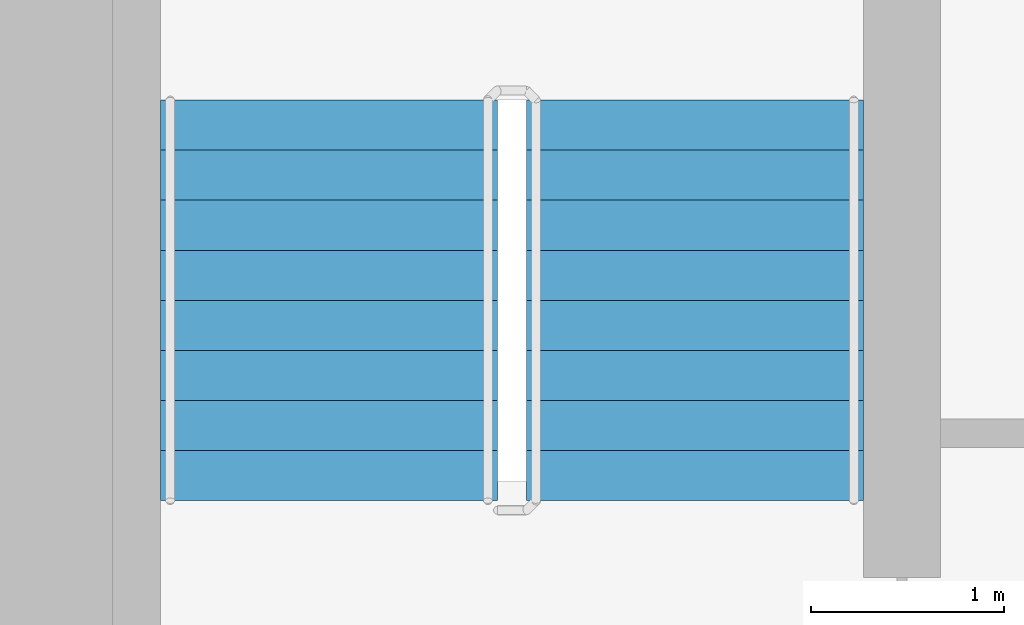
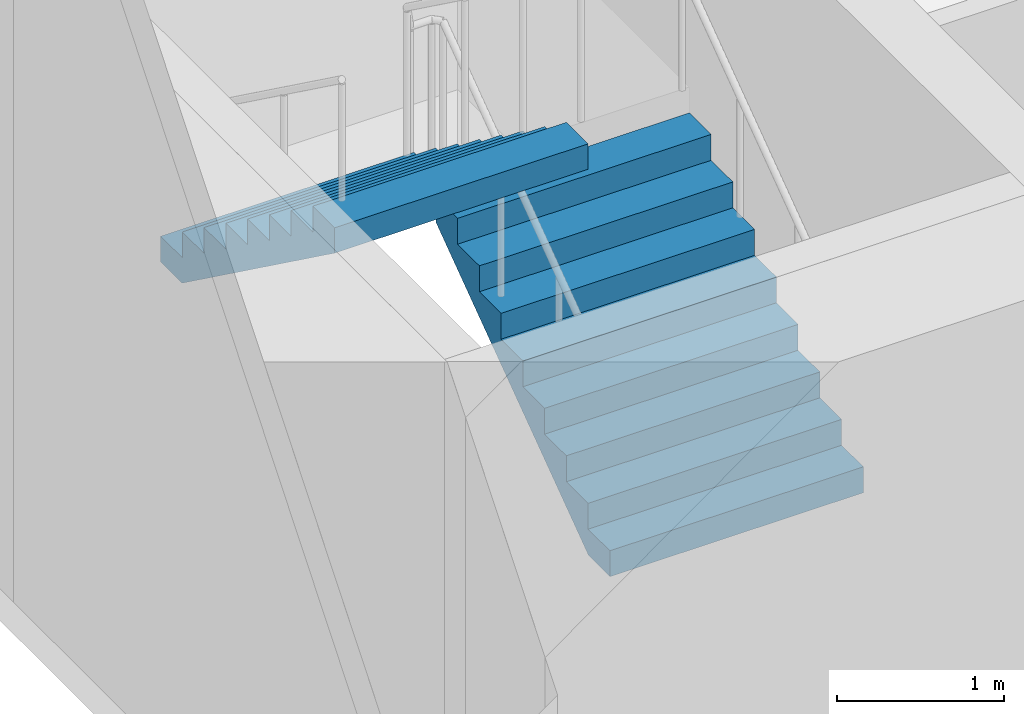
# One storey, part 17 of 20: 2 stair flights, 1 element without a shape of its own.
"""IFC4 building model written with IfcOpenShell, lengths in metres."""

from ifc_helpers import new_model, si_unit, direction, frame, origin, place, context, subcontext, project, spatial, faceted_brep, material, type_object, element, aggregate, save


model = new_model("IFC4")

# Units and contexts
model_context = context("Model", 3, precision=1e-05, world=origin(), true_north=direction((0.0, 1.0)))
body_context = subcontext(model_context, "Body", "Model", "MODEL_VIEW")
ifc_project = project(units=[si_unit("LENGTHUNIT", "METRE"), si_unit("AREAUNIT", "SQUARE_METRE"), si_unit("VOLUMEUNIT", "CUBIC_METRE"), si_unit("PLANEANGLEUNIT", "RADIAN"), si_unit("MASSUNIT", "GRAM", prefix="KILO")], contexts=[model_context])

# Site, building, storey
site_placement = place(None, origin())
site = spatial("IfcSite", under=ifc_project, at=site_placement, CompositionType="ELEMENT")
building_placement = place(site_placement, origin())
building = spatial("IfcBuilding", under=site, at=building_placement, Name="Ipe Terrace Towers", CompositionType="ELEMENT")
storey_placement = place(building_placement, frame((0.0, 0.0, 120.800048828125)))
storey = spatial("IfcBuildingStorey", under=building, at=storey_placement, Name="L33", CompositionType="ELEMENT", Elevation=120.800048828125)

# Stair, stair flights
ifc_material_1 = material(Name="Concrete C30/37", Category="concrete")
stair_type = type_object("IfcStairType", Name="Protected exit stair", PredefinedType="HALF_TURN_STAIR", material=ifc_material_1)
stair_placement = place(storey_placement, origin())
stair = element("IfcStair", 1, at=stair_placement, inside=storey, type_object=stair_type, Name="L33 Exit stair T2-C1", PredefinedType="HALF_TURN_STAIR")
ifc_material_2 = material(Name="Concrete C30/37", Category="concrete")
stair_flight_type = type_object("IfcStairFlightType", Name="Exit stair flight 1750", PredefinedType="STRAIGHT", material=ifc_material_2)
stair_flight_1_placement = place(storey_placement, frame((33.22509765625, 9.699951171875, 0.0), z_axis=(0.0, 0.0, 1.0), x_axis=(0.0, 1.0, 0.0)))
stair_flight_1 = element("IfcStairFlight", 2, at=stair_flight_1_placement, type_object=stair_flight_type, Name="T2-ST1 flight 1", NumberOfRisers=9, NumberOfTreads=8, PredefinedType="STRAIGHT", RiserHeight=0.188888889, TreadLength=0.26, context=body_context, shape_type="Brep", body=[
    faceted_brep([(0.255126953125, -0.875, 0.0), (2.080078125, -0.875, 1.325927734375), (2.080078125, -0.875, 1.51123046875), (1.820068359375, -0.875, 1.51123046875), (1.820068359375, -0.875, 1.322265625), (1.56005859375, -0.875, 1.322265625), (1.56005859375, -0.875, 1.13330078125), (1.300048828125, -0.875, 1.13330078125), (1.300048828125, -0.875, 0.9443359375), (1.0400390625, -0.875, 0.9443359375), (1.0400390625, -0.875, 0.755615234375), (0.780029296875, -0.875, 0.755615234375), (0.780029296875, -0.875, 0.566650390625), (0.52001953125, -0.875, 0.566650390625), (0.52001953125, -0.875, 0.377685546875), (0.260009765625, -0.875, 0.377685546875), (0.260009765625, -0.875, 0.18896484375), (0.0, -0.875, 0.18896484375), (0.0, -0.875, 0.0), (0.0, 0.875, 0.0), (0.0, 0.875, 0.18896484375), (0.260009765625, 0.875, 0.18896484375), (0.260009765625, 0.875, 0.377685546875), (0.52001953125, 0.875, 0.377685546875), (0.52001953125, 0.875, 0.566650390625), (0.780029296875, 0.875, 0.566650390625), (0.780029296875, 0.875, 0.755615234375), (1.0400390625, 0.875, 0.755615234375), (1.0400390625, 0.875, 0.9443359375), (1.300048828125, 0.875, 0.9443359375), (1.300048828125, 0.875, 1.13330078125), (1.56005859375, 0.875, 1.13330078125), (1.56005859375, 0.875, 1.322265625), (1.820068359375, 0.875, 1.322265625), (1.820068359375, 0.875, 1.51123046875), (2.080078125, 0.875, 1.51123046875), (2.080078125, 0.875, 1.325927734375), (0.255126953125, 0.875, 0.0), (0.0, -0.300048828125, 0.18896484375), (0.0, -0.1201171875, 0.18896484375), (0.0, -0.06005859375, 0.18896484375), (0.0, -0.030029296875, 0.18896484375), (0.0, -0.010009765625, 0.18896484375), (0.0, 0.0, 0.18896484375), (0.0, 0.010009765625, 0.18896484375), (0.0, 0.030029296875, 0.18896484375), (0.0, 0.06005859375, 0.18896484375), (0.0, 0.1201171875, 0.18896484375), (0.0, 0.300048828125, 0.18896484375), (0.0, 0.300048828125, 0.0), (0.0, 0.1201171875, 0.0), (0.0, 0.06005859375, 0.0), (0.0, 0.030029296875, 0.0), (0.0, 0.010009765625, 0.0), (0.0, 0.0, 0.0), (0.0, -0.010009765625, 0.0), (0.0, -0.030029296875, 0.0), (0.0, -0.06005859375, 0.0), (0.0, -0.1201171875, 0.0), (0.0, -0.300048828125, 0.0), (0.260009765625, -0.300048828125, 0.18896484375), (0.260009765625, -0.1201171875, 0.18896484375), (0.260009765625, -0.06005859375, 0.18896484375), (0.260009765625, -0.030029296875, 0.18896484375), (0.260009765625, -0.010009765625, 0.18896484375), (0.260009765625, 0.0, 0.18896484375), (0.260009765625, 0.010009765625, 0.18896484375), (0.260009765625, 0.030029296875, 0.18896484375), (0.260009765625, 0.06005859375, 0.18896484375), (0.260009765625, 0.1201171875, 0.18896484375), (0.260009765625, 0.300048828125, 0.18896484375), (0.260009765625, -0.300048828125, 0.377685546875), (0.260009765625, -0.1201171875, 0.377685546875), (0.260009765625, -0.06005859375, 0.377685546875), (0.260009765625, -0.030029296875, 0.377685546875), (0.260009765625, -0.010009765625, 0.377685546875), (0.260009765625, 0.0, 0.377685546875), (0.260009765625, 0.010009765625, 0.377685546875), (0.260009765625, 0.030029296875, 0.377685546875), (0.260009765625, 0.06005859375, 0.377685546875), (0.260009765625, 0.1201171875, 0.377685546875), (0.260009765625, 0.300048828125, 0.377685546875), (0.52001953125, -0.300048828125, 0.377685546875), (0.52001953125, -0.1201171875, 0.377685546875), (0.52001953125, -0.06005859375, 0.377685546875), (0.52001953125, -0.030029296875, 0.377685546875), (0.52001953125, -0.010009765625, 0.377685546875), (0.52001953125, 0.0, 0.377685546875), (0.52001953125, 0.010009765625, 0.377685546875), (0.52001953125, 0.030029296875, 0.377685546875), (0.52001953125, 0.06005859375, 0.377685546875), (0.52001953125, 0.1201171875, 0.377685546875), (0.52001953125, 0.300048828125, 0.377685546875), (0.52001953125, -0.300048828125, 0.566650390625), (0.52001953125, -0.1201171875, 0.566650390625), (0.52001953125, -0.06005859375, 0.566650390625), (0.52001953125, -0.030029296875, 0.566650390625), (0.52001953125, -0.010009765625, 0.566650390625), (0.52001953125, 0.0, 0.566650390625), (0.52001953125, 0.010009765625, 0.566650390625), (0.52001953125, 0.030029296875, 0.566650390625), (0.52001953125, 0.06005859375, 0.566650390625), (0.52001953125, 0.1201171875, 0.566650390625), (0.52001953125, 0.300048828125, 0.566650390625), (0.780029296875, -0.300048828125, 0.566650390625), (0.780029296875, -0.1201171875, 0.566650390625), (0.780029296875, -0.06005859375, 0.566650390625), (0.780029296875, -0.030029296875, 0.566650390625), (0.780029296875, -0.010009765625, 0.566650390625), (0.780029296875, 0.0, 0.566650390625), (0.780029296875, 0.010009765625, 0.566650390625), (0.780029296875, 0.030029296875, 0.566650390625), (0.780029296875, 0.06005859375, 0.566650390625), (0.780029296875, 0.1201171875, 0.566650390625), (0.780029296875, 0.300048828125, 0.566650390625), (0.780029296875, -0.300048828125, 0.755615234375), (0.780029296875, -0.1201171875, 0.755615234375), (0.780029296875, -0.06005859375, 0.755615234375), (0.780029296875, -0.030029296875, 0.755615234375), (0.780029296875, -0.010009765625, 0.755615234375), (0.780029296875, 0.0, 0.755615234375), (0.780029296875, 0.010009765625, 0.755615234375), (0.780029296875, 0.030029296875, 0.755615234375), (0.780029296875, 0.06005859375, 0.755615234375), (0.780029296875, 0.1201171875, 0.755615234375), (0.780029296875, 0.300048828125, 0.755615234375), (1.0400390625, -0.300048828125, 0.755615234375), (1.0400390625, -0.1201171875, 0.755615234375), (1.0400390625, -0.06005859375, 0.755615234375), (1.0400390625, -0.030029296875, 0.755615234375), (1.0400390625, -0.010009765625, 0.755615234375), (1.0400390625, 0.0, 0.755615234375), (1.0400390625, 0.010009765625, 0.755615234375), (1.0400390625, 0.030029296875, 0.755615234375), (1.0400390625, 0.06005859375, 0.755615234375), (1.0400390625, 0.1201171875, 0.755615234375), (1.0400390625, 0.300048828125, 0.755615234375), (1.0400390625, -0.300048828125, 0.9443359375), (1.0400390625, -0.1201171875, 0.9443359375), (1.0400390625, -0.06005859375, 0.9443359375), (1.0400390625, -0.030029296875, 0.9443359375), (1.0400390625, -0.010009765625, 0.9443359375), (1.0400390625, 0.0, 0.9443359375), (1.0400390625, 0.010009765625, 0.9443359375), (1.0400390625, 0.030029296875, 0.9443359375), (1.0400390625, 0.06005859375, 0.9443359375), (1.0400390625, 0.1201171875, 0.9443359375), (1.0400390625, 0.300048828125, 0.9443359375), (1.300048828125, -0.300048828125, 0.9443359375), (1.300048828125, -0.1201171875, 0.9443359375), (1.300048828125, -0.06005859375, 0.9443359375), (1.300048828125, -0.030029296875, 0.9443359375), (1.300048828125, -0.010009765625, 0.9443359375), (1.300048828125, 0.0, 0.9443359375), (1.300048828125, 0.010009765625, 0.9443359375), (1.300048828125, 0.030029296875, 0.9443359375), (1.300048828125, 0.06005859375, 0.9443359375), (1.300048828125, 0.1201171875, 0.9443359375), (1.300048828125, 0.300048828125, 0.9443359375), (1.300048828125, -0.300048828125, 1.13330078125), (1.300048828125, -0.1201171875, 1.13330078125), (1.300048828125, -0.06005859375, 1.13330078125), (1.300048828125, -0.030029296875, 1.13330078125), (1.300048828125, -0.010009765625, 1.13330078125), (1.300048828125, 0.0, 1.13330078125), (1.300048828125, 0.010009765625, 1.13330078125), (1.300048828125, 0.030029296875, 1.13330078125), (1.300048828125, 0.06005859375, 1.13330078125), (1.300048828125, 0.1201171875, 1.13330078125), (1.300048828125, 0.300048828125, 1.13330078125), (1.56005859375, -0.300048828125, 1.13330078125), (1.56005859375, -0.1201171875, 1.13330078125), (1.56005859375, -0.06005859375, 1.13330078125), (1.56005859375, -0.030029296875, 1.13330078125), (1.56005859375, -0.010009765625, 1.13330078125), (1.56005859375, 0.0, 1.13330078125), (1.56005859375, 0.010009765625, 1.13330078125), (1.56005859375, 0.030029296875, 1.13330078125), (1.56005859375, 0.06005859375, 1.13330078125), (1.56005859375, 0.1201171875, 1.13330078125), (1.56005859375, 0.300048828125, 1.13330078125), (1.56005859375, -0.300048828125, 1.322265625), (1.56005859375, -0.1201171875, 1.322265625), (1.56005859375, -0.06005859375, 1.322265625), (1.56005859375, -0.030029296875, 1.322265625), (1.56005859375, -0.010009765625, 1.322265625), (1.56005859375, 0.0, 1.322265625), (1.56005859375, 0.010009765625, 1.322265625), (1.56005859375, 0.030029296875, 1.322265625), (1.56005859375, 0.06005859375, 1.322265625), (1.56005859375, 0.1201171875, 1.322265625), (1.56005859375, 0.300048828125, 1.322265625), (1.820068359375, -0.300048828125, 1.322265625), (1.820068359375, -0.1201171875, 1.322265625), (1.820068359375, -0.06005859375, 1.322265625), (1.820068359375, -0.030029296875, 1.322265625), (1.820068359375, -0.010009765625, 1.322265625), (1.820068359375, 0.0, 1.322265625), (1.820068359375, 0.010009765625, 1.322265625), (1.820068359375, 0.030029296875, 1.322265625), (1.820068359375, 0.06005859375, 1.322265625), (1.820068359375, 0.1201171875, 1.322265625), (1.820068359375, 0.300048828125, 1.322265625), (1.820068359375, -0.300048828125, 1.51123046875), (1.820068359375, -0.1201171875, 1.51123046875), (1.820068359375, -0.06005859375, 1.51123046875), (1.820068359375, -0.030029296875, 1.51123046875), (1.820068359375, -0.010009765625, 1.51123046875), (1.820068359375, 0.0, 1.51123046875), (1.820068359375, 0.010009765625, 1.51123046875), (1.820068359375, 0.030029296875, 1.51123046875), (1.820068359375, 0.06005859375, 1.51123046875), (1.820068359375, 0.1201171875, 1.51123046875), (1.820068359375, 0.300048828125, 1.51123046875), (2.080078125, -0.300048828125, 1.51123046875), (2.080078125, -0.1201171875, 1.51123046875), (2.080078125, -0.06005859375, 1.51123046875), (2.080078125, -0.030029296875, 1.51123046875), (2.080078125, -0.010009765625, 1.51123046875), (2.080078125, 0.0, 1.51123046875), (2.080078125, 0.010009765625, 1.51123046875), (2.080078125, 0.030029296875, 1.51123046875), (2.080078125, 0.06005859375, 1.51123046875), (2.080078125, 0.1201171875, 1.51123046875), (2.080078125, 0.300048828125, 1.51123046875), (2.080078125, -0.300048828125, 1.325927734375), (2.080078125, -0.1201171875, 1.325927734375), (2.080078125, -0.06005859375, 1.325927734375), (2.080078125, -0.030029296875, 1.325927734375), (2.080078125, -0.010009765625, 1.325927734375), (2.080078125, 0.0, 1.325927734375), (2.080078125, 0.010009765625, 1.325927734375), (2.080078125, 0.030029296875, 1.325927734375), (2.080078125, 0.06005859375, 1.325927734375), (2.080078125, 0.1201171875, 1.325927734375), (2.080078125, 0.300048828125, 1.325927734375), (0.255126953125, -0.300048828125, 0.0), (0.255126953125, -0.1201171875, 0.0), (0.255126953125, -0.06005859375, 0.0), (0.255126953125, -0.030029296875, 0.0), (0.255126953125, -0.010009765625, 0.0), (0.255126953125, 0.0, 0.0), (0.255126953125, 0.010009765625, 0.0), (0.255126953125, 0.030029296875, 0.0), (0.255126953125, 0.06005859375, 0.0), (0.255126953125, 0.1201171875, 0.0), (0.255126953125, 0.300048828125, 0.0)], [[[0, 1, 2, 3, 4, 5, 6, 7, 8, 9, 10, 11, 12, 13, 14, 15, 16, 17, 18]], [[19, 20, 21, 22, 23, 24, 25, 26, 27, 28, 29, 30, 31, 32, 33, 34, 35, 36, 37]], [[17, 38, 39, 40, 41, 42, 43, 44, 45, 46, 47, 48, 20, 19, 49, 50, 51, 52, 53, 54, 55, 56, 57, 58, 59, 18]], [[16, 60, 61, 62, 63, 64, 65, 66, 67, 68, 69, 70, 21, 20, 48, 47, 46, 45, 44, 43, 42, 41, 40, 39, 38, 17]], [[15, 71, 72, 73, 74, 75, 76, 77, 78, 79, 80, 81, 22, 21, 70, 69, 68, 67, 66, 65, 64, 63, 62, 61, 60, 16]], [[14, 82, 83, 84, 85, 86, 87, 88, 89, 90, 91, 92, 23, 22, 81, 80, 79, 78, 77, 76, 75, 74, 73, 72, 71, 15]], [[13, 93, 94, 95, 96, 97, 98, 99, 100, 101, 102, 103, 24, 23, 92, 91, 90, 89, 88, 87, 86, 85, 84, 83, 82, 14]], [[12, 104, 105, 106, 107, 108, 109, 110, 111, 112, 113, 114, 25, 24, 103, 102, 101, 100, 99, 98, 97, 96, 95, 94, 93, 13]], [[11, 115, 116, 117, 118, 119, 120, 121, 122, 123, 124, 125, 26, 25, 114, 113, 112, 111, 110, 109, 108, 107, 106, 105, 104, 12]], [[10, 126, 127, 128, 129, 130, 131, 132, 133, 134, 135, 136, 27, 26, 125, 124, 123, 122, 121, 120, 119, 118, 117, 116, 115, 11]], [[9, 137, 138, 139, 140, 141, 142, 143, 144, 145, 146, 147, 28, 27, 136, 135, 134, 133, 132, 131, 130, 129, 128, 127, 126, 10]], [[8, 148, 149, 150, 151, 152, 153, 154, 155, 156, 157, 158, 29, 28, 147, 146, 145, 144, 143, 142, 141, 140, 139, 138, 137, 9]], [[7, 159, 160, 161, 162, 163, 164, 165, 166, 167, 168, 169, 30, 29, 158, 157, 156, 155, 154, 153, 152, 151, 150, 149, 148, 8]], [[6, 170, 171, 172, 173, 174, 175, 176, 177, 178, 179, 180, 31, 30, 169, 168, 167, 166, 165, 164, 163, 162, 161, 160, 159, 7]], [[5, 181, 182, 183, 184, 185, 186, 187, 188, 189, 190, 191, 32, 31, 180, 179, 178, 177, 176, 175, 174, 173, 172, 171, 170, 6]], [[4, 192, 193, 194, 195, 196, 197, 198, 199, 200, 201, 202, 33, 32, 191, 190, 189, 188, 187, 186, 185, 184, 183, 182, 181, 5]], [[3, 203, 204, 205, 206, 207, 208, 209, 210, 211, 212, 213, 34, 33, 202, 201, 200, 199, 198, 197, 196, 195, 194, 193, 192, 4]], [[2, 214, 215, 216, 217, 218, 219, 220, 221, 222, 223, 224, 35, 34, 213, 212, 211, 210, 209, 208, 207, 206, 205, 204, 203, 3]], [[1, 225, 226, 227, 228, 229, 230, 231, 232, 233, 234, 235, 36, 35, 224, 223, 222, 221, 220, 219, 218, 217, 216, 215, 214, 2]], [[0, 236, 237, 238, 239, 240, 241, 242, 243, 244, 245, 246, 37, 36, 235, 234, 233, 232, 231, 230, 229, 228, 227, 226, 225, 1]], [[18, 59, 58, 57, 56, 55, 54, 53, 52, 51, 50, 49, 19, 37, 246, 245, 244, 243, 242, 241, 240, 239, 238, 237, 236, 0]]]),
])
stair_flight_2_placement = place(storey_placement, frame((31.324951171875, 11.780029296875, 1.699951171875), z_axis=(0.0, 0.0, 1.0), x_axis=(0.0, -1.0, 0.0)))
stair_flight_2 = element("IfcStairFlight", 3, at=stair_flight_2_placement, type_object=stair_flight_type, Name="T2-ST1 flight 2", NumberOfRisers=9, NumberOfTreads=8, PredefinedType="STRAIGHT", RiserHeight=0.188888889, TreadLength=0.26, context=body_context, shape_type="Brep", body=[
    faceted_brep([(0.255126953125, -0.875, 0.0), (2.080078125, -0.875, 1.325927734375), (2.080078125, -0.875, 1.51123046875), (1.820068359375, -0.875, 1.51123046875), (1.820068359375, -0.875, 1.322265625), (1.56005859375, -0.875, 1.322265625), (1.56005859375, -0.875, 1.13330078125), (1.300048828125, -0.875, 1.13330078125), (1.300048828125, -0.875, 0.9443359375), (1.0400390625, -0.875, 0.9443359375), (1.0400390625, -0.875, 0.755615234375), (0.780029296875, -0.875, 0.755615234375), (0.780029296875, -0.875, 0.566650390625), (0.52001953125, -0.875, 0.566650390625), (0.52001953125, -0.875, 0.377685546875), (0.260009765625, -0.875, 0.377685546875), (0.260009765625, -0.875, 0.18896484375), (0.0, -0.875, 0.18896484375), (0.0, -0.875, 0.0), (0.0, 0.875, 0.0), (0.0, 0.875, 0.18896484375), (0.260009765625, 0.875, 0.18896484375), (0.260009765625, 0.875, 0.377685546875), (0.52001953125, 0.875, 0.377685546875), (0.52001953125, 0.875, 0.566650390625), (0.780029296875, 0.875, 0.566650390625), (0.780029296875, 0.875, 0.755615234375), (1.0400390625, 0.875, 0.755615234375), (1.0400390625, 0.875, 0.9443359375), (1.300048828125, 0.875, 0.9443359375), (1.300048828125, 0.875, 1.13330078125), (1.56005859375, 0.875, 1.13330078125), (1.56005859375, 0.875, 1.322265625), (1.820068359375, 0.875, 1.322265625), (1.820068359375, 0.875, 1.51123046875), (2.080078125, 0.875, 1.51123046875), (2.080078125, 0.875, 1.325927734375), (0.255126953125, 0.875, 0.0), (0.0, -0.300048828125, 0.18896484375), (0.0, -0.1201171875, 0.18896484375), (0.0, -0.06005859375, 0.18896484375), (0.0, -0.030029296875, 0.18896484375), (0.0, -0.010009765625, 0.18896484375), (0.0, 0.0, 0.18896484375), (0.0, 0.010009765625, 0.18896484375), (0.0, 0.030029296875, 0.18896484375), (0.0, 0.06005859375, 0.18896484375), (0.0, 0.1201171875, 0.18896484375), (0.0, 0.300048828125, 0.18896484375), (0.0, 0.300048828125, 0.0), (0.0, 0.1201171875, 0.0), (0.0, 0.06005859375, 0.0), (0.0, 0.030029296875, 0.0), (0.0, 0.010009765625, 0.0), (0.0, 0.0, 0.0), (0.0, -0.010009765625, 0.0), (0.0, -0.030029296875, 0.0), (0.0, -0.06005859375, 0.0), (0.0, -0.1201171875, 0.0), (0.0, -0.300048828125, 0.0), (0.260009765625, -0.300048828125, 0.18896484375), (0.260009765625, -0.1201171875, 0.18896484375), (0.260009765625, -0.06005859375, 0.18896484375), (0.260009765625, -0.030029296875, 0.18896484375), (0.260009765625, -0.010009765625, 0.18896484375), (0.260009765625, 0.0, 0.18896484375), (0.260009765625, 0.010009765625, 0.18896484375), (0.260009765625, 0.030029296875, 0.18896484375), (0.260009765625, 0.06005859375, 0.18896484375), (0.260009765625, 0.1201171875, 0.18896484375), (0.260009765625, 0.300048828125, 0.18896484375), (0.260009765625, -0.300048828125, 0.377685546875), (0.260009765625, -0.1201171875, 0.377685546875), (0.260009765625, -0.06005859375, 0.377685546875), (0.260009765625, -0.030029296875, 0.377685546875), (0.260009765625, -0.010009765625, 0.377685546875), (0.260009765625, 0.0, 0.377685546875), (0.260009765625, 0.010009765625, 0.377685546875), (0.260009765625, 0.030029296875, 0.377685546875), (0.260009765625, 0.06005859375, 0.377685546875), (0.260009765625, 0.1201171875, 0.377685546875), (0.260009765625, 0.300048828125, 0.377685546875), (0.52001953125, -0.300048828125, 0.377685546875), (0.52001953125, -0.1201171875, 0.377685546875), (0.52001953125, -0.06005859375, 0.377685546875), (0.52001953125, -0.030029296875, 0.377685546875), (0.52001953125, -0.010009765625, 0.377685546875), (0.52001953125, 0.0, 0.377685546875), (0.52001953125, 0.010009765625, 0.377685546875), (0.52001953125, 0.030029296875, 0.377685546875), (0.52001953125, 0.06005859375, 0.377685546875), (0.52001953125, 0.1201171875, 0.377685546875), (0.52001953125, 0.300048828125, 0.377685546875), (0.52001953125, -0.300048828125, 0.566650390625), (0.52001953125, -0.1201171875, 0.566650390625), (0.52001953125, -0.06005859375, 0.566650390625), (0.52001953125, -0.030029296875, 0.566650390625), (0.52001953125, -0.010009765625, 0.566650390625), (0.52001953125, 0.0, 0.566650390625), (0.52001953125, 0.010009765625, 0.566650390625), (0.52001953125, 0.030029296875, 0.566650390625), (0.52001953125, 0.06005859375, 0.566650390625), (0.52001953125, 0.1201171875, 0.566650390625), (0.52001953125, 0.300048828125, 0.566650390625), (0.780029296875, -0.300048828125, 0.566650390625), (0.780029296875, -0.1201171875, 0.566650390625), (0.780029296875, -0.06005859375, 0.566650390625), (0.780029296875, -0.030029296875, 0.566650390625), (0.780029296875, -0.010009765625, 0.566650390625), (0.780029296875, 0.0, 0.566650390625), (0.780029296875, 0.010009765625, 0.566650390625), (0.780029296875, 0.030029296875, 0.566650390625), (0.780029296875, 0.06005859375, 0.566650390625), (0.780029296875, 0.1201171875, 0.566650390625), (0.780029296875, 0.300048828125, 0.566650390625), (0.780029296875, -0.300048828125, 0.755615234375), (0.780029296875, -0.1201171875, 0.755615234375), (0.780029296875, -0.06005859375, 0.755615234375), (0.780029296875, -0.030029296875, 0.755615234375), (0.780029296875, -0.010009765625, 0.755615234375), (0.780029296875, 0.0, 0.755615234375), (0.780029296875, 0.010009765625, 0.755615234375), (0.780029296875, 0.030029296875, 0.755615234375), (0.780029296875, 0.06005859375, 0.755615234375), (0.780029296875, 0.1201171875, 0.755615234375), (0.780029296875, 0.300048828125, 0.755615234375), (1.0400390625, -0.300048828125, 0.755615234375), (1.0400390625, -0.1201171875, 0.755615234375), (1.0400390625, -0.06005859375, 0.755615234375), (1.0400390625, -0.030029296875, 0.755615234375), (1.0400390625, -0.010009765625, 0.755615234375), (1.0400390625, 0.0, 0.755615234375), (1.0400390625, 0.010009765625, 0.755615234375), (1.0400390625, 0.030029296875, 0.755615234375), (1.0400390625, 0.06005859375, 0.755615234375), (1.0400390625, 0.1201171875, 0.755615234375), (1.0400390625, 0.300048828125, 0.755615234375), (1.0400390625, -0.300048828125, 0.9443359375), (1.0400390625, -0.1201171875, 0.9443359375), (1.0400390625, -0.06005859375, 0.9443359375), (1.0400390625, -0.030029296875, 0.9443359375), (1.0400390625, -0.010009765625, 0.9443359375), (1.0400390625, 0.0, 0.9443359375), (1.0400390625, 0.010009765625, 0.9443359375), (1.0400390625, 0.030029296875, 0.9443359375), (1.0400390625, 0.06005859375, 0.9443359375), (1.0400390625, 0.1201171875, 0.9443359375), (1.0400390625, 0.300048828125, 0.9443359375), (1.300048828125, -0.300048828125, 0.9443359375), (1.300048828125, -0.1201171875, 0.9443359375), (1.300048828125, -0.06005859375, 0.9443359375), (1.300048828125, -0.030029296875, 0.9443359375), (1.300048828125, -0.010009765625, 0.9443359375), (1.300048828125, 0.0, 0.9443359375), (1.300048828125, 0.010009765625, 0.9443359375), (1.300048828125, 0.030029296875, 0.9443359375), (1.300048828125, 0.06005859375, 0.9443359375), (1.300048828125, 0.1201171875, 0.9443359375), (1.300048828125, 0.300048828125, 0.9443359375), (1.300048828125, -0.300048828125, 1.13330078125), (1.300048828125, -0.1201171875, 1.13330078125), (1.300048828125, -0.06005859375, 1.13330078125), (1.300048828125, -0.030029296875, 1.13330078125), (1.300048828125, -0.010009765625, 1.13330078125), (1.300048828125, 0.0, 1.13330078125), (1.300048828125, 0.010009765625, 1.13330078125), (1.300048828125, 0.030029296875, 1.13330078125), (1.300048828125, 0.06005859375, 1.13330078125), (1.300048828125, 0.1201171875, 1.13330078125), (1.300048828125, 0.300048828125, 1.13330078125), (1.56005859375, -0.300048828125, 1.13330078125), (1.56005859375, -0.1201171875, 1.13330078125), (1.56005859375, -0.06005859375, 1.13330078125), (1.56005859375, -0.030029296875, 1.13330078125), (1.56005859375, -0.010009765625, 1.13330078125), (1.56005859375, 0.0, 1.13330078125), (1.56005859375, 0.010009765625, 1.13330078125), (1.56005859375, 0.030029296875, 1.13330078125), (1.56005859375, 0.06005859375, 1.13330078125), (1.56005859375, 0.1201171875, 1.13330078125), (1.56005859375, 0.300048828125, 1.13330078125), (1.56005859375, -0.300048828125, 1.322265625), (1.56005859375, -0.1201171875, 1.322265625), (1.56005859375, -0.06005859375, 1.322265625), (1.56005859375, -0.030029296875, 1.322265625), (1.56005859375, -0.010009765625, 1.322265625), (1.56005859375, 0.0, 1.322265625), (1.56005859375, 0.010009765625, 1.322265625), (1.56005859375, 0.030029296875, 1.322265625), (1.56005859375, 0.06005859375, 1.322265625), (1.56005859375, 0.1201171875, 1.322265625), (1.56005859375, 0.300048828125, 1.322265625), (1.820068359375, -0.300048828125, 1.322265625), (1.820068359375, -0.1201171875, 1.322265625), (1.820068359375, -0.06005859375, 1.322265625), (1.820068359375, -0.030029296875, 1.322265625), (1.820068359375, -0.010009765625, 1.322265625), (1.820068359375, 0.0, 1.322265625), (1.820068359375, 0.010009765625, 1.322265625), (1.820068359375, 0.030029296875, 1.322265625), (1.820068359375, 0.06005859375, 1.322265625), (1.820068359375, 0.1201171875, 1.322265625), (1.820068359375, 0.300048828125, 1.322265625), (1.820068359375, -0.300048828125, 1.51123046875), (1.820068359375, -0.1201171875, 1.51123046875), (1.820068359375, -0.06005859375, 1.51123046875), (1.820068359375, -0.030029296875, 1.51123046875), (1.820068359375, -0.010009765625, 1.51123046875), (1.820068359375, 0.0, 1.51123046875), (1.820068359375, 0.010009765625, 1.51123046875), (1.820068359375, 0.030029296875, 1.51123046875), (1.820068359375, 0.06005859375, 1.51123046875), (1.820068359375, 0.1201171875, 1.51123046875), (1.820068359375, 0.300048828125, 1.51123046875), (2.080078125, -0.300048828125, 1.51123046875), (2.080078125, -0.1201171875, 1.51123046875), (2.080078125, -0.06005859375, 1.51123046875), (2.080078125, -0.030029296875, 1.51123046875), (2.080078125, -0.010009765625, 1.51123046875), (2.080078125, 0.0, 1.51123046875), (2.080078125, 0.010009765625, 1.51123046875), (2.080078125, 0.030029296875, 1.51123046875), (2.080078125, 0.06005859375, 1.51123046875), (2.080078125, 0.1201171875, 1.51123046875), (2.080078125, 0.300048828125, 1.51123046875), (2.080078125, -0.300048828125, 1.325927734375), (2.080078125, -0.1201171875, 1.325927734375), (2.080078125, -0.06005859375, 1.325927734375), (2.080078125, -0.030029296875, 1.325927734375), (2.080078125, -0.010009765625, 1.325927734375), (2.080078125, 0.0, 1.325927734375), (2.080078125, 0.010009765625, 1.325927734375), (2.080078125, 0.030029296875, 1.325927734375), (2.080078125, 0.06005859375, 1.325927734375), (2.080078125, 0.1201171875, 1.325927734375), (2.080078125, 0.300048828125, 1.325927734375), (0.255126953125, -0.300048828125, 0.0), (0.255126953125, -0.1201171875, 0.0), (0.255126953125, -0.06005859375, 0.0), (0.255126953125, -0.030029296875, 0.0), (0.255126953125, -0.010009765625, 0.0), (0.255126953125, 0.0, 0.0), (0.255126953125, 0.010009765625, 0.0), (0.255126953125, 0.030029296875, 0.0), (0.255126953125, 0.06005859375, 0.0), (0.255126953125, 0.1201171875, 0.0), (0.255126953125, 0.300048828125, 0.0)], [[[0, 1, 2, 3, 4, 5, 6, 7, 8, 9, 10, 11, 12, 13, 14, 15, 16, 17, 18]], [[19, 20, 21, 22, 23, 24, 25, 26, 27, 28, 29, 30, 31, 32, 33, 34, 35, 36, 37]], [[17, 38, 39, 40, 41, 42, 43, 44, 45, 46, 47, 48, 20, 19, 49, 50, 51, 52, 53, 54, 55, 56, 57, 58, 59, 18]], [[16, 60, 61, 62, 63, 64, 65, 66, 67, 68, 69, 70, 21, 20, 48, 47, 46, 45, 44, 43, 42, 41, 40, 39, 38, 17]], [[15, 71, 72, 73, 74, 75, 76, 77, 78, 79, 80, 81, 22, 21, 70, 69, 68, 67, 66, 65, 64, 63, 62, 61, 60, 16]], [[14, 82, 83, 84, 85, 86, 87, 88, 89, 90, 91, 92, 23, 22, 81, 80, 79, 78, 77, 76, 75, 74, 73, 72, 71, 15]], [[13, 93, 94, 95, 96, 97, 98, 99, 100, 101, 102, 103, 24, 23, 92, 91, 90, 89, 88, 87, 86, 85, 84, 83, 82, 14]], [[12, 104, 105, 106, 107, 108, 109, 110, 111, 112, 113, 114, 25, 24, 103, 102, 101, 100, 99, 98, 97, 96, 95, 94, 93, 13]], [[11, 115, 116, 117, 118, 119, 120, 121, 122, 123, 124, 125, 26, 25, 114, 113, 112, 111, 110, 109, 108, 107, 106, 105, 104, 12]], [[10, 126, 127, 128, 129, 130, 131, 132, 133, 134, 135, 136, 27, 26, 125, 124, 123, 122, 121, 120, 119, 118, 117, 116, 115, 11]], [[9, 137, 138, 139, 140, 141, 142, 143, 144, 145, 146, 147, 28, 27, 136, 135, 134, 133, 132, 131, 130, 129, 128, 127, 126, 10]], [[8, 148, 149, 150, 151, 152, 153, 154, 155, 156, 157, 158, 29, 28, 147, 146, 145, 144, 143, 142, 141, 140, 139, 138, 137, 9]], [[7, 159, 160, 161, 162, 163, 164, 165, 166, 167, 168, 169, 30, 29, 158, 157, 156, 155, 154, 153, 152, 151, 150, 149, 148, 8]], [[6, 170, 171, 172, 173, 174, 175, 176, 177, 178, 179, 180, 31, 30, 169, 168, 167, 166, 165, 164, 163, 162, 161, 160, 159, 7]], [[5, 181, 182, 183, 184, 185, 186, 187, 188, 189, 190, 191, 32, 31, 180, 179, 178, 177, 176, 175, 174, 173, 172, 171, 170, 6]], [[4, 192, 193, 194, 195, 196, 197, 198, 199, 200, 201, 202, 33, 32, 191, 190, 189, 188, 187, 186, 185, 184, 183, 182, 181, 5]], [[3, 203, 204, 205, 206, 207, 208, 209, 210, 211, 212, 213, 34, 33, 202, 201, 200, 199, 198, 197, 196, 195, 194, 193, 192, 4]], [[2, 214, 215, 216, 217, 218, 219, 220, 221, 222, 223, 224, 35, 34, 213, 212, 211, 210, 209, 208, 207, 206, 205, 204, 203, 3]], [[1, 225, 226, 227, 228, 229, 230, 231, 232, 233, 234, 235, 36, 35, 224, 223, 222, 221, 220, 219, 218, 217, 216, 215, 214, 2]], [[0, 236, 237, 238, 239, 240, 241, 242, 243, 244, 245, 246, 37, 36, 235, 234, 233, 232, 231, 230, 229, 228, 227, 226, 225, 1]], [[18, 59, 58, 57, 56, 55, 54, 53, 52, 51, 50, 49, 19, 37, 246, 245, 244, 243, 242, 241, 240, 239, 238, 237, 236, 0]]]),
])
aggregate(stair, [stair_flight_1, stair_flight_2])

save(model, "model.ifc")
